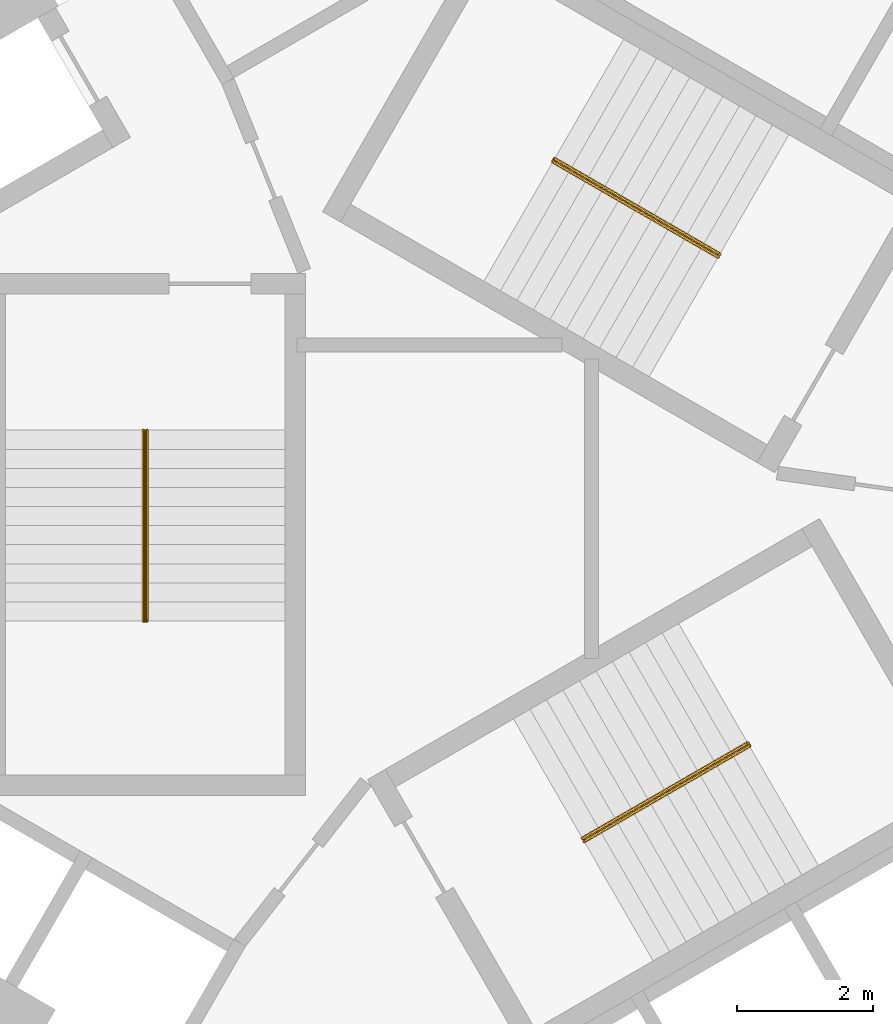
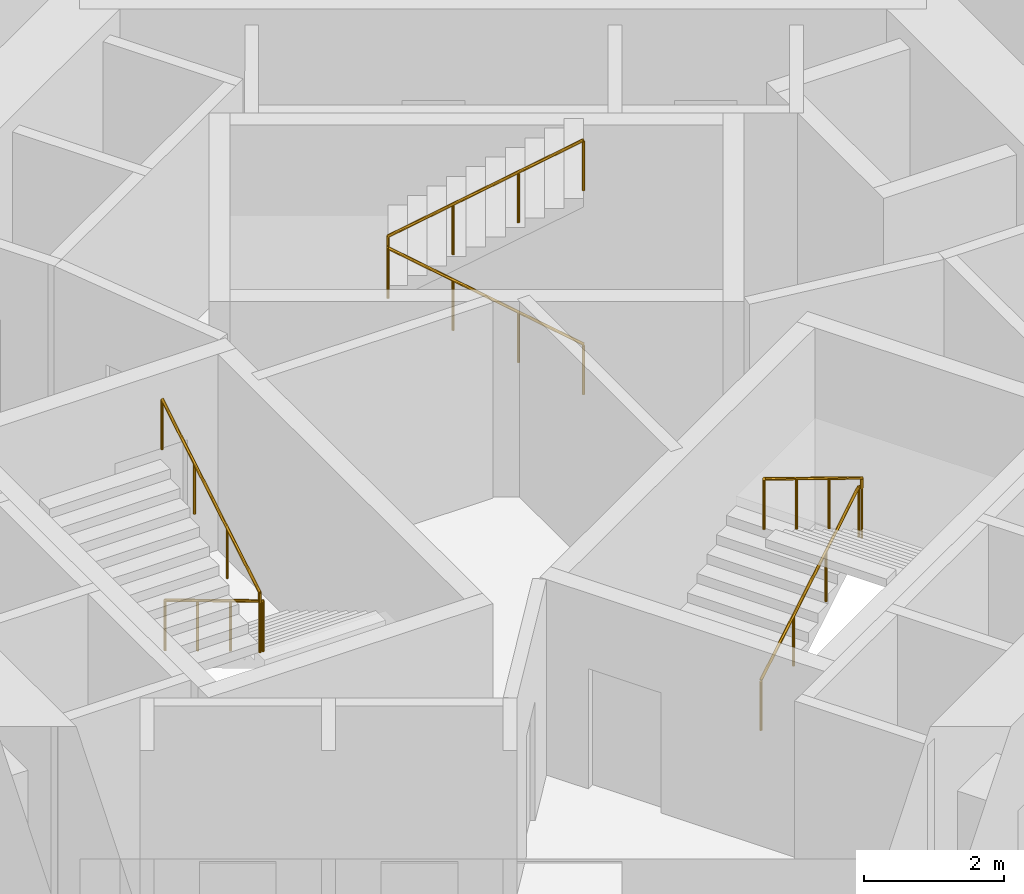
# One storey, part 10 of 10: 3 railings.
"""IFC4 building model written with IfcOpenShell, lengths in metres."""

from ifc_helpers import new_model, si_unit, direction, frame, origin, origin_2d, place, context, subcontext, project, spatial, circle, extrude, material, type_object, element, save


model = new_model("IFC4")

# Units and contexts
model_context = context("Model", 3, precision=1e-05, world=origin(), true_north=direction((0.0, 1.0)))
body_context = subcontext(model_context, "Body", "Model", "MODEL_VIEW")
ifc_project = project(units=[si_unit("LENGTHUNIT", "METRE"), si_unit("AREAUNIT", "SQUARE_METRE"), si_unit("VOLUMEUNIT", "CUBIC_METRE"), si_unit("PLANEANGLEUNIT", "RADIAN"), si_unit("MASSUNIT", "GRAM", prefix="KILO")], contexts=[model_context])

# Site, building, storey
site_placement = place(None, origin())
site = spatial("IfcSite", under=ifc_project, at=site_placement, CompositionType="ELEMENT")
building_placement = place(site_placement, origin())
building = spatial("IfcBuilding", under=site, at=building_placement, Name="Vanh Sen Convention Tower", CompositionType="ELEMENT")
storey_placement = place(building_placement, frame((0.0, 0.0, 191.0)))
storey = spatial("IfcBuildingStorey", under=building, at=storey_placement, Name="L47", CompositionType="ELEMENT", Elevation=191.0)

# Railings
ifc_material = material(Name="Stainless steel handrail", Category="steel")
railing_type = type_object("IfcRailingType", Name="Stair handrail 900", PredefinedType="HANDRAIL", material=ifc_material)
railing_1_placement = place(storey_placement, frame((3.45849609375, 3.690185546875, 0.168212890625)))
element("IfcRailing", 1, at=railing_1_placement, inside=storey, type_object=railing_type, Name="Stair handrail ST1 L47", PredefinedType="HANDRAIL", context=body_context, shape_type="SweptSolid", body=[
    extrude(circle(Radius=0.02392578125, at=origin_2d()), frame((0.0, 0.0, 0.8759765625), z_axis=(-0.742390482028, 0.42860119049, 0.514934356695), x_axis=(-0.49998411664, -0.866034573852, 0.0)), (0.0, 0.0, 1.0), 3.26611328125),
    extrude(circle(Radius=0.02392578125, at=origin_2d()), frame((-2.4248046875, 1.39990234375, 2.5576171875), z_axis=(0.497188445666, 0.867642581652, 0.0), x_axis=(-0.867642581652, 0.497188445666, 0.0)), (0.0, 0.0, 1.0), 0.050048828125),
    extrude(circle(Radius=0.02392578125, at=origin_2d()), frame((-2.39990234375, 1.443359375, 2.5576171875), z_axis=(0.0, 0.0, 1.0), x_axis=(1.0, 0.0, 0.0)), (0.0, 0.0, 1.0), 0.168212890625),
    extrude(circle(Radius=0.02392578125, at=origin_2d()), frame((-2.39990234375, 1.443359375, 2.72607421875), z_axis=(0.742395268701, -0.428678701772, 0.514862928999), x_axis=(0.500049511043, 0.865996816683, 0.0)), (0.0, 0.0, 1.0), 3.26611328125),
    extrude(circle(Radius=0.02099609375, at=origin_2d()), origin(), (0.0, 0.0, 1.0), 0.851806640625),
    extrude(circle(Radius=0.02099609375, at=origin_2d()), frame((-0.808349609375, 0.466552734375, 0.560546875)), (0.0, 0.0, 1.0), 0.851806640625),
    extrude(circle(Radius=0.02099609375, at=origin_2d()), frame((-1.616455078125, 0.933349609375, 1.121337890625)), (0.0, 0.0, 1.0), 0.851806640625),
    extrude(circle(Radius=0.02099609375, at=origin_2d()), frame((-2.4248046875, 1.39990234375, 1.681884765625)), (0.0, 0.0, 1.0), 0.851806640625),
    extrude(circle(Radius=0.02099609375, at=origin_2d()), frame((-2.39990234375, 1.443359375, 1.681884765625)), (0.0, 0.0, 1.0), 0.851806640625),
    extrude(circle(Radius=0.02099609375, at=origin_2d()), frame((-2.39990234375, 1.443359375, 1.85009765625)), (0.0, 0.0, 1.0), 0.851806640625),
    extrude(circle(Radius=0.02099609375, at=origin_2d()), frame((-1.591552734375, 0.9765625, 2.41064453125)), (0.0, 0.0, 1.0), 0.851806640625),
    extrude(circle(Radius=0.02099609375, at=origin_2d()), frame((-0.783447265625, 0.510009765625, 2.97119140625)), (0.0, 0.0, 1.0), 0.851806640625),
    extrude(circle(Radius=0.02099609375, at=origin_2d()), frame((0.02490234375, 0.043212890625, 3.53173828125)), (0.0, 0.0, 1.0), 0.851806640625),
])
railing_2_placement = place(storey_placement, frame((-4.925048828125, 1.14990234375, 0.168212890625)))
element("IfcRailing", 2, at=railing_2_placement, inside=storey, type_object=railing_type, Name="Stair handrail ST2 L47", PredefinedType="HANDRAIL", context=body_context, shape_type="SweptSolid", body=[
    extrude(circle(Radius=0.02392578125, at=origin_2d()), frame((0.0, 0.0, 0.8759765625), z_axis=(0.0, -0.857222391501, 0.514946377315), x_axis=(1.0, 0.0, 0.0)), (0.0, 0.0, 1.0), 3.26611328125),
    extrude(circle(Radius=0.02392578125, at=origin_2d()), frame((0.0, -2.7998046875, 2.5576171875), z_axis=(-1.0, 0.0, 0.0), x_axis=(0.0, -1.0, 0.0)), (0.0, 0.0, 1.0), 0.050048828125),
    extrude(circle(Radius=0.02392578125, at=origin_2d()), frame((-0.050048828125, -2.7998046875, 2.5576171875), z_axis=(0.0, 0.0, 1.0), x_axis=(1.0, 0.0, 0.0)), (0.0, 0.0, 1.0), 0.168212890625),
    extrude(circle(Radius=0.02392578125, at=origin_2d()), frame((-0.050048828125, -2.7998046875, 2.72607421875), z_axis=(0.0, 0.857255387014, 0.514891446264), x_axis=(-1.0, 0.0, 0.0)), (0.0, 0.0, 1.0), 3.26611328125),
    extrude(circle(Radius=0.02099609375, at=origin_2d()), origin(), (0.0, 0.0, 1.0), 0.851806640625),
    extrude(circle(Radius=0.02099609375, at=origin_2d()), frame((0.0, -0.933349609375, 0.560546875)), (0.0, 0.0, 1.0), 0.851806640625),
    extrude(circle(Radius=0.02099609375, at=origin_2d()), frame((0.0, -1.866455078125, 1.121337890625)), (0.0, 0.0, 1.0), 0.851806640625),
    extrude(circle(Radius=0.02099609375, at=origin_2d()), frame((0.0, -2.7998046875, 1.681884765625)), (0.0, 0.0, 1.0), 0.851806640625),
    extrude(circle(Radius=0.02099609375, at=origin_2d()), frame((-0.050048828125, -2.7998046875, 1.681884765625)), (0.0, 0.0, 1.0), 0.851806640625),
    extrude(circle(Radius=0.02099609375, at=origin_2d()), frame((-0.050048828125, -2.7998046875, 1.85009765625)), (0.0, 0.0, 1.0), 0.851806640625),
    extrude(circle(Radius=0.02099609375, at=origin_2d()), frame((-0.050048828125, -1.866455078125, 2.41064453125)), (0.0, 0.0, 1.0), 0.851806640625),
    extrude(circle(Radius=0.02099609375, at=origin_2d()), frame((-0.050048828125, -0.933349609375, 2.97119140625)), (0.0, 0.0, 1.0), 0.851806640625),
    extrude(circle(Radius=0.02099609375, at=origin_2d()), frame((-0.050048828125, 0.0, 3.53173828125)), (0.0, 0.0, 1.0), 0.851806640625),
])
railing_3_placement = place(storey_placement, frame((1.466552734375, -4.840087890625, 0.168212890625)))
element("IfcRailing", 3, at=railing_3_placement, inside=storey, type_object=railing_type, Name="Stair handrail ST3 L47", PredefinedType="HANDRAIL", context=body_context, shape_type="SweptSolid", body=[
    extrude(circle(Radius=0.02392578125, at=origin_2d()), frame((0.0, 0.0, 0.8759765625), z_axis=(0.742390482028, 0.42860119049, 0.514934356695), x_axis=(-0.49998411664, 0.866034573852, 0.0)), (0.0, 0.0, 1.0), 3.26611328125),
    extrude(circle(Radius=0.02392578125, at=origin_2d()), frame((2.4248046875, 1.39990234375, 2.5576171875), z_axis=(0.502959906984, -0.86430974307, 0.0), x_axis=(0.86430974307, 0.502959906984, 0.0)), (0.0, 0.0, 1.0), 0.050048828125),
    extrude(circle(Radius=0.02392578125, at=origin_2d()), frame((2.449951171875, 1.356689453125, 2.5576171875), z_axis=(0.0, 0.0, 1.0), x_axis=(1.0, 0.0, 0.0)), (0.0, 0.0, 1.0), 0.168212890625),
    extrude(circle(Radius=0.02392578125, at=origin_2d()), frame((2.449951171875, 1.356689453125, 2.72607421875), z_axis=(-0.742395268701, -0.428678701772, 0.514862928999), x_axis=(0.500049511043, -0.865996816683, 0.0)), (0.0, 0.0, 1.0), 3.26611328125),
    extrude(circle(Radius=0.02099609375, at=origin_2d()), origin(), (0.0, 0.0, 1.0), 0.851806640625),
    extrude(circle(Radius=0.02099609375, at=origin_2d()), frame((0.808349609375, 0.466552734375, 0.560546875)), (0.0, 0.0, 1.0), 0.851806640625),
    extrude(circle(Radius=0.02099609375, at=origin_2d()), frame((1.616455078125, 0.933349609375, 1.121337890625)), (0.0, 0.0, 1.0), 0.851806640625),
    extrude(circle(Radius=0.02099609375, at=origin_2d()), frame((2.4248046875, 1.39990234375, 1.681884765625)), (0.0, 0.0, 1.0), 0.851806640625),
    extrude(circle(Radius=0.02099609375, at=origin_2d()), frame((2.449951171875, 1.356689453125, 1.681884765625)), (0.0, 0.0, 1.0), 0.851806640625),
    extrude(circle(Radius=0.02099609375, at=origin_2d()), frame((2.449951171875, 1.356689453125, 1.85009765625)), (0.0, 0.0, 1.0), 0.851806640625),
    extrude(circle(Radius=0.02099609375, at=origin_2d()), frame((1.6416015625, 0.889892578125, 2.41064453125)), (0.0, 0.0, 1.0), 0.851806640625),
    extrude(circle(Radius=0.02099609375, at=origin_2d()), frame((0.83349609375, 0.42333984375, 2.97119140625)), (0.0, 0.0, 1.0), 0.851806640625),
    extrude(circle(Radius=0.02099609375, at=origin_2d()), frame((0.025146484375, -0.04345703125, 3.53173828125)), (0.0, 0.0, 1.0), 0.851806640625),
])

save(model, "model.ifc")
